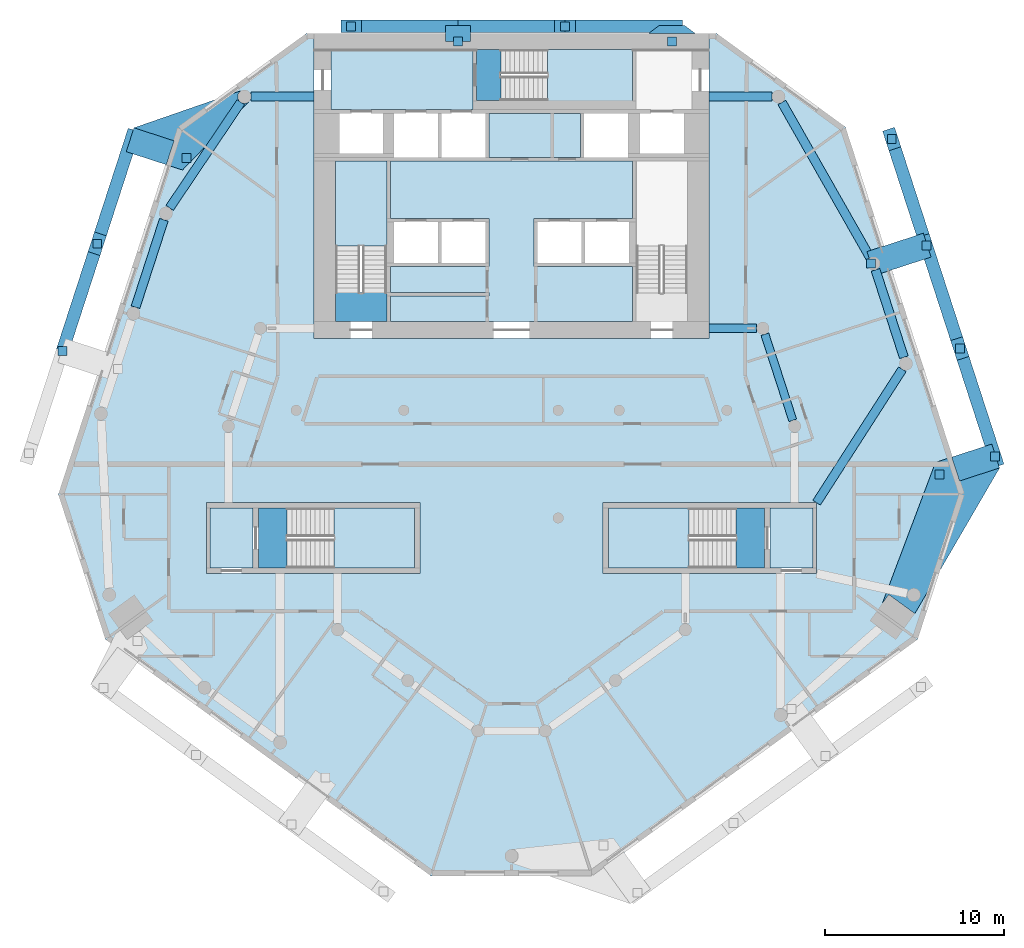
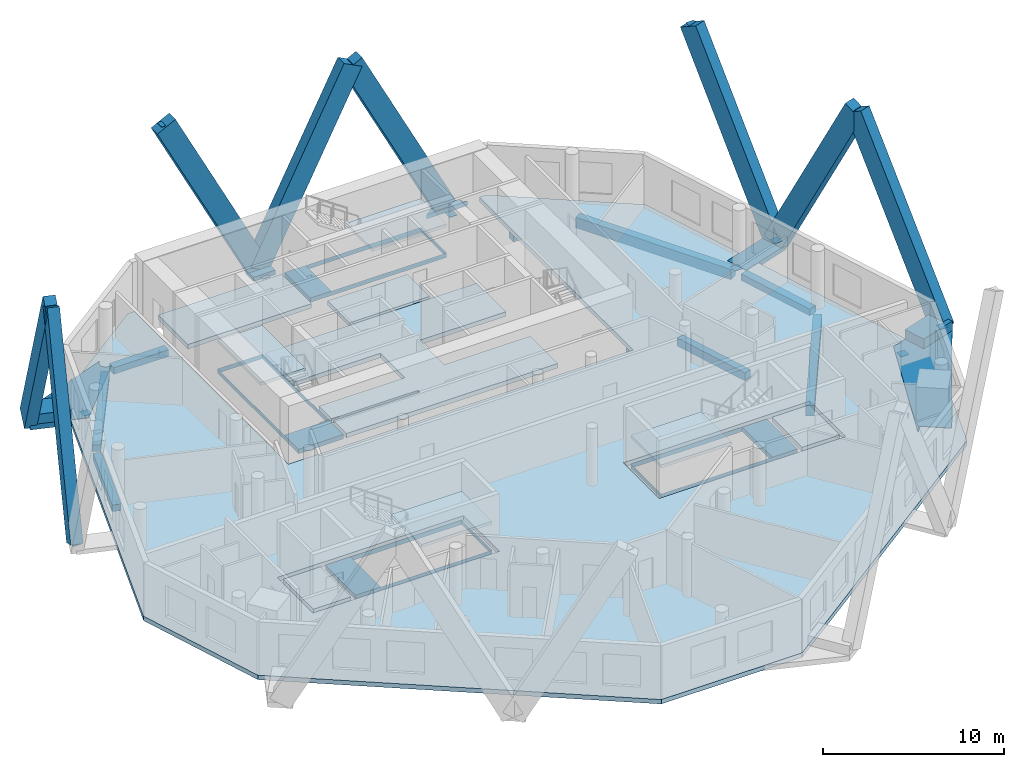
# One storey, part 2 of 10: 15 members, 14 slabs, 13 discrete accessories, 9 beams, 4 elements without a shape of their own.
"""IFC4 building model written with IfcOpenShell, lengths in metres."""

from ifc_helpers import new_model, si_unit, direction, frame, origin, origin_2d, place, context, subcontext, project, spatial, polyline, rectangle, outline, extrude, material, layer, layer_set, material_profile, profile_set, type_object, element, aggregate, save


model = new_model("IFC4")

# Units and contexts
model_context = context("Model", 3, precision=1e-05, world=origin(), true_north=direction((0.0, 1.0)))
body_context = subcontext(model_context, "Body", "Model", "MODEL_VIEW")
ifc_project = project(units=[si_unit("LENGTHUNIT", "METRE"), si_unit("AREAUNIT", "SQUARE_METRE"), si_unit("VOLUMEUNIT", "CUBIC_METRE"), si_unit("PLANEANGLEUNIT", "RADIAN"), si_unit("MASSUNIT", "GRAM", prefix="KILO")], contexts=[model_context])

# Site, building, storey
site_placement = place(None, origin())
site = spatial("IfcSite", under=ifc_project, at=site_placement, CompositionType="ELEMENT")
building_placement = place(site_placement, origin())
building = spatial("IfcBuilding", under=site, at=building_placement, Name="White Candle Pilgrim Tower", CompositionType="ELEMENT")
storey_placement = place(building_placement, frame((0.0, 0.0, 172.0)))
storey = spatial("IfcBuildingStorey", under=building, at=storey_placement, Name="L39", CompositionType="ELEMENT", Elevation=172.0)

# Member
ifc_material_1 = material(Name="Concrete C70/85, white", Category="concrete")
ifc_material_profile_1 = material_profile(ifc_material_1, rectangle(XDim=0.699951171875, YDim=1.300048828125, at=origin_2d()), Name="RC-DG 700x1300")
ifc_profile_set_1 = profile_set([ifc_material_profile_1], Name="Concrete C70/85, white")
member_type_1 = type_object("IfcMemberType", Name="Exoskeleton diagonal RC-DG 700x1300 C70/85", PredefinedType="BRACE", material=ifc_profile_set_1)
member_1_placement = place(storey_placement, frame((78.93701171875, 88.39990234375, 0.0), z_axis=(-0.453783992732, 0.0, 0.891111714624), x_axis=(0.0, -1.0, 0.0)))
member_1 = element("IfcMember", 1, at=member_1_placement, inside=storey, type_object=member_type_1, Name="Exoskeleton diagonal EX127", PredefinedType="BRACE", context=body_context, shape_type="SweptSolid", body=[
    extrude(rectangle(XDim=0.699951171875, YDim=1.300048828125, at=origin_2d()), origin(), (0.0, 0.0, 1.0), 13.129638671875),
])

member_2_placement = place(storey_placement, frame((67.02099609375, 88.39990234375, 0.0), z_axis=(0.453783992732, 0.0, 0.891111714624), x_axis=(0.0, 1.0, 0.0)))
element("IfcMember", 2, at=member_2_placement, inside=storey, type_object=member_type_1, Name="Exoskeleton diagonal EX128", PredefinedType="BRACE", context=body_context, shape_type="SweptSolid", body=[
    extrude(rectangle(XDim=0.699951171875, YDim=1.300048828125, at=origin_2d()), origin(), (0.0, 0.0, 1.0), 13.129638671875),
])

member_3_placement = place(storey_placement, frame((67.02099609375, 88.39990234375, 0.0), z_axis=(-0.453783992732, 0.0, 0.891111714624), x_axis=(0.0, -1.0, 0.0)))
member_3 = element("IfcMember", 3, at=member_3_placement, inside=storey, type_object=member_type_1, Name="Exoskeleton diagonal EX129", PredefinedType="BRACE", context=body_context, shape_type="SweptSolid", body=[
    extrude(rectangle(XDim=0.699951171875, YDim=1.300048828125, at=origin_2d()), origin(), (0.0, 0.0, 1.0), 13.129638671875),
])

member_4_placement = place(storey_placement, frame((96.934814453125, 64.436279296875, 0.0), z_axis=(-0.146802579308, 0.451810414815, 0.879952471315), x_axis=(-0.951056221468, -0.309017901757, 0.0)))
member_4 = element("IfcMember", 4, at=member_4_placement, inside=storey, type_object=member_type_1, Name="Exoskeleton diagonal EX139", PredefinedType="BRACE", context=body_context, shape_type="SweptSolid", body=[
    extrude(rectangle(XDim=0.699951171875, YDim=1.300048828125, at=origin_2d()), origin(), (0.0, 0.0, 1.0), 13.296142578125),
])

member_5_placement = place(storey_placement, frame((93.116943359375, 76.186279296875, 0.0), z_axis=(0.141723941793, -0.436167808302, 0.888634889774), x_axis=(0.951053677388, 0.309025731497, 0.0)))
member_5 = element("IfcMember", 5, at=member_5_placement, inside=storey, type_object=member_type_1, Name="Exoskeleton diagonal EX140", PredefinedType="BRACE", context=body_context, shape_type="SweptSolid", body=[
    extrude(rectangle(XDim=0.699951171875, YDim=1.300048828125, at=origin_2d()), origin(), (0.0, 0.0, 1.0), 13.166259765625),
])

member_6_placement = place(storey_placement, frame((93.116943359375, 76.186279296875, 0.0), z_axis=(-0.145375050618, 0.447412663702, 0.882433001999), x_axis=(-0.95105535191, -0.309020577962, 0.0)))
member_6 = element("IfcMember", 6, at=member_6_placement, inside=storey, type_object=member_type_1, Name="Exoskeleton diagonal EX141", PredefinedType="BRACE", context=body_context, shape_type="SweptSolid", body=[
    extrude(rectangle(XDim=0.699951171875, YDim=1.300048828125, at=origin_2d()), origin(), (0.0, 0.0, 1.0), 13.2587890625),
])

member_7_placement = place(storey_placement, frame((48.7919921875, 82.06103515625, 0.0), z_axis=(-0.14245559115, -0.438403239371, 0.887417040776), x_axis=(0.951050303892, -0.309036113531, 0.0)))
member_7 = element("IfcMember", 7, at=member_7_placement, inside=storey, type_object=member_type_1, Name="Exoskeleton diagonal EX175", PredefinedType="BRACE", context=body_context, shape_type="SweptSolid", body=[
    extrude(rectangle(XDim=0.699951171875, YDim=1.300048828125, at=origin_2d()), origin(), (0.0, 0.0, 1.0), 13.184326171875),
])

member_8_placement = place(storey_placement, frame((44.97412109375, 70.311279296875, 0.0), z_axis=(0.146090322328, 0.449616181444, 0.88119402353), x_axis=(-0.951055789428, 0.309019231433, 0.0)))
member_8 = element("IfcMember", 8, at=member_8_placement, inside=storey, type_object=member_type_1, Name="Exoskeleton diagonal EX176", PredefinedType="BRACE", context=body_context, shape_type="SweptSolid", body=[
    extrude(rectangle(XDim=0.699951171875, YDim=1.300048828125, at=origin_2d()), origin(), (0.0, 0.0, 1.0), 13.27734375),
])

ifc_layer_1 = layer(ifc_material_1, 0.300048828125)
ifc_layer_set_1 = layer_set([ifc_layer_1], Name="Node tie strut 3300x1400x300 C70/85")
member_type_2 = type_object("IfcMemberType", Name="Node tie strut 3300x1400x300 C70/85", PredefinedType="STRUT", material=ifc_layer_set_1)
member_9_placement = place(storey_placement, frame((0.0, 0.0, -0.35009765625)))
member_9 = element("IfcMember", 9, at=member_9_placement, inside=storey, type_object=member_type_2, Name="Node tie strut NC121", PredefinedType="STRUT", context=body_context, shape_type="SweptSolid", body=[
    extrude(outline(polyline([(92.47705078125, 55.669189453125), (97.198486328125, 63.7861328125), (96.765869140625, 65.11767578125), (93.62744140625, 64.097900390625), (90.66552734375, 56.238037109375), (91.02099609375, 56.72705078125), (92.47705078125, 55.669189453125)])), origin(), (0.0, 0.0, 1.0), 0.35009765625),
])

member_10_placement = place(storey_placement, origin())
element("IfcMember", 10, at=member_10_placement, inside=storey, type_object=member_type_2, Name="Node tie strut NC121", PredefinedType="STRUT", context=body_context, shape_type="SweptSolid", body=[
    extrude(outline(polyline([(94.96337890625, 63.059814453125), (97.198486328125, 63.7861328125), (96.765869140625, 65.11767578125), (94.531005859375, 64.391357421875), (94.96337890625, 63.059814453125)])), origin(), (0.0, 0.0, 1.0), 0.64990234375),
])

member_11_placement = place(storey_placement, frame((91.59521484375, 75.69189453125, -0.2998046875), z_axis=(0.0, 0.0, 1.0), x_axis=(-0.309016994375, 0.951056516295, 0.0)))
member_11 = element("IfcMember", 11, at=member_11_placement, inside=storey, type_object=member_type_2, Name="Node tie strut NC122", PredefinedType="STRUT", context=body_context, shape_type="SweptSolid", body=[
    extrude(rectangle(XDim=1.39990234375, YDim=3.300048828125, at=origin_2d()), origin(), (0.0, 0.0, 1.0), 0.300048828125),
])

member_12_placement = place(storey_placement, frame((0.0, 0.0, -0.35009765625)))
member_12 = element("IfcMember", 12, at=member_12_placement, inside=storey, type_object=member_type_2, Name="Node tie strut NC129", PredefinedType="STRUT", context=body_context, shape_type="SweptSolid", body=[
    extrude(outline(polyline([(51.66650390625, 80.39111328125), (55.38525390625, 84.21484375), (55.3671875, 84.197998046875), (55.348388671875, 84.1826171875), (55.328369140625, 84.168212890625), (55.3076171875, 84.1552734375), (55.285888671875, 84.143798828125), (55.263427734375, 84.133544921875), (55.240478515625, 84.125), (55.217041015625, 84.117919921875), (55.193115234375, 84.1123046875), (55.1689453125, 84.108154296875), (55.14453125, 84.105712890625), (55.1201171875, 84.10498046875), (55.095458984375, 84.105712890625), (55.071044921875, 84.108154296875), (55.046875, 84.1123046875), (55.02294921875, 84.117919921875), (54.99951171875, 84.125), (54.9765625, 84.133544921875), (54.9541015625, 84.143798828125), (54.9326171875, 84.1552734375), (54.91162109375, 84.168212890625), (54.8916015625, 84.1826171875), (54.872802734375, 84.197998046875), (54.854736328125, 84.21484375), (54.838134765625, 84.232666015625), (54.822509765625, 84.251708984375), (54.80810546875, 84.271728515625), (54.795166015625, 84.29248046875), (54.78369140625, 84.314208984375), (54.7734375, 84.33642578125), (54.764892578125, 84.359619140625), (54.7578125, 84.3828125), (54.752197265625, 84.40673828125), (54.748291015625, 84.43115234375), (54.745849609375, 84.45556640625), (54.7451171875, 84.47998046875), (54.745849609375, 84.50439453125), (54.748291015625, 84.52880859375), (54.752197265625, 84.55322265625), (54.7578125, 84.5771484375), (54.764892578125, 84.6005859375), (54.7734375, 84.62353515625), (54.78369140625, 84.64599609375), (54.795166015625, 84.66748046875), (54.80810546875, 84.688232421875), (54.822509765625, 84.708251953125), (54.838134765625, 84.727294921875), (54.854736328125, 84.7451171875), (54.872802734375, 84.761962890625), (54.8916015625, 84.777587890625), (54.91162109375, 84.791748046875), (54.9326171875, 84.8046875), (54.9541015625, 84.81640625), (54.9765625, 84.826416015625), (54.99951171875, 84.835205078125), (48.960693359375, 82.7421875), (48.528076171875, 81.410888671875), (51.66650390625, 80.39111328125)])), origin(), (0.0, 0.0, 1.0), 0.35009765625),
])

member_13_placement = place(storey_placement, origin())
element("IfcMember", 13, at=member_13_placement, inside=storey, type_object=member_type_2, Name="Node tie strut NC129", PredefinedType="STRUT", context=body_context, shape_type="SweptSolid", body=[
    extrude(outline(polyline([(50.76318359375, 80.6845703125), (51.19580078125, 82.01611328125), (48.960693359375, 82.7421875), (48.528076171875, 81.410888671875), (50.76318359375, 80.6845703125)])), origin(), (0.0, 0.0, 1.0), 0.64990234375),
])

ifc_layer_2 = layer(ifc_material_1, 0.300048828125)
ifc_layer_set_2 = layer_set([ifc_layer_2], Name="Node tie strut 900x1400x300 C70/85")
member_type_3 = type_object("IfcMemberType", Name="Node tie strut 900x1400x300 C70/85", PredefinedType="STRUT", material=ifc_layer_set_2)
member_14_placement = place(storey_placement, frame((0.0, 0.0, -0.300048828125)))
member_14 = element("IfcMember", 14, at=member_14_placement, inside=storey, type_object=member_type_3, Name="Node tie strut NC123", PredefinedType="STRUT", context=body_context, shape_type="SweptSolid", body=[
    extrude(outline(polyline([(77.636962890625, 88.0), (80.237060546875, 88.0), (79.636962890625, 88.449951171875), (78.237060546875, 88.449951171875), (77.636962890625, 88.0)])), origin(), (0.0, 0.0, 1.0), 0.300048828125),
])

member_15_placement = place(storey_placement, frame((67.02099609375, 88.0, -0.2998046875), z_axis=(0.0, 0.0, 1.0), x_axis=(-1.0, 0.0, 0.0)))
member_15 = element("IfcMember", 15, at=member_15_placement, inside=storey, type_object=member_type_3, Name="Node tie strut NC124", PredefinedType="STRUT", context=body_context, shape_type="SweptSolid", body=[
    extrude(rectangle(XDim=1.39990234375, YDim=0.89990234375, at=origin_2d()), origin(), (0.0, 0.0, 1.0), 0.300048828125),
])

# Beams
ifc_material_2 = material(Name="Concrete C50/60", Category="concrete")
ifc_material_profile_2 = material_profile(ifc_material_2, rectangle(XDim=0.449951171875, YDim=0.550048828125, at=origin_2d()), Name="RC-BM 450x550")
ifc_profile_set_2 = profile_set([ifc_material_profile_2], Name="Concrete C50/60")
beam_type_1 = type_object("IfcBeamType", Name="Ring beam RC-BM 450x550 C50/60", PredefinedType="BEAM", material=ifc_profile_set_2)
beam_1_placement = place(storey_placement, frame((85.672119140625, 66.44287109375, -0.574951171875), z_axis=(-0.308369651752, 0.95126660715, 0.0), x_axis=(-0.95126660715, -0.308369651752, 0.0)))
element("IfcBeam", 16, at=beam_1_placement, inside=storey, type_object=beam_type_1, Name="L39 ring beam R08", PredefinedType="BEAM", context=body_context, shape_type="SweptSolid", body=[
    extrude(rectangle(XDim=0.449951171875, YDim=0.550048828125, at=origin_2d()), origin(), (0.0, 0.0, 1.0), 5.0400390625),
])
beam_2_placement = place(storey_placement, frame((83.659912109375, 71.570068359375, -0.574951171875), z_axis=(-1.0, 0.0, 0.0), x_axis=(0.0, -1.0, 0.0)))
element("IfcBeam", 17, at=beam_2_placement, inside=storey, type_object=beam_type_1, Name="L39 ring beam R09", PredefinedType="BEAM", context=body_context, shape_type="SweptSolid", body=[
    extrude(rectangle(XDim=0.449951171875, YDim=0.550048828125, at=origin_2d()), origin(), (0.0, 0.0, 1.0), 2.659912109375),
])
ifc_material_profile_3 = material_profile(ifc_material_2, rectangle(XDim=0.5, YDim=0.449951171875, at=origin_2d()), Name="RC-BM 500x450")
ifc_profile_set_3 = profile_set([ifc_material_profile_3], Name="Concrete C50/60")
beam_type_2 = type_object("IfcBeamType", Name="Spandrel beam RC-BM 500x450 C50/60", PredefinedType="BEAM", material=ifc_profile_set_3)
beam_3_placement = place(storey_placement, frame((91.8642578125, 69.95654296875, -0.52490234375), z_axis=(-0.308530369215, 0.951214492779, 0.0), x_axis=(-0.951214492779, -0.308530369215, 0.0)))
element("IfcBeam", 18, at=beam_3_placement, inside=storey, type_object=beam_type_2, Name="L39 spandrel beam T08", PredefinedType="BEAM", context=body_context, shape_type="SweptSolid", body=[
    extrude(rectangle(XDim=0.5, YDim=0.449951171875, at=origin_2d()), origin(), (0.0, 0.0, 1.0), 5.116455078125),
])
for number, where, z_axis, x_axis, name in (
    (19, (84.5048828125, 84.47998046875, -0.52490234375), (-1.0, 0.0, 0.0), (0.0, -1.0, 0.0), "L39 spandrel beam T10"),
    (20, (55.4951171875, 84.47998046875, -0.52490234375), (1.0, 0.0, 0.0), (0.0, 1.0, 0.0), "L39 spandrel beam T11"),
):
    element("IfcBeam", number, at=place(storey_placement, frame(where, z_axis=z_axis, x_axis=x_axis)), inside=storey, type_object=beam_type_2, Name=name, PredefinedType="BEAM", context=body_context, shape_type="SweptSolid", body=[
        extrude(rectangle(XDim=0.5, YDim=0.449951171875, at=origin_2d()), origin(), (0.0, 0.0, 1.0), 3.5048828125),
    ])
beam_4_placement = place(storey_placement, frame((54.91064453125, 84.1689453125, -0.52490234375), z_axis=(-0.55822018442, -0.82969285022, 0.0), x_axis=(0.82969285022, -0.55822018442, 0.0)))
element("IfcBeam", 21, at=beam_4_placement, inside=storey, type_object=beam_type_2, Name="L39 spandrel beam T12", PredefinedType="BEAM", context=body_context, shape_type="SweptSolid", body=[
    extrude(rectangle(XDim=0.5, YDim=0.449951171875, at=origin_2d()), origin(), (0.0, 0.0, 1.0), 7.096435546875),
])
beam_5_placement = place(storey_placement, frame((50.624267578125, 77.61328125, -0.52490234375), z_axis=(-0.308544373382, -0.951209950355, 0.0), x_axis=(0.951209950355, -0.308544373382, 0.0)))
element("IfcBeam", 22, at=beam_5_placement, inside=storey, type_object=beam_type_2, Name="L39 spandrel beam T13", PredefinedType="BEAM", context=body_context, shape_type="SweptSolid", body=[
    extrude(rectangle(XDim=0.5, YDim=0.449951171875, at=origin_2d()), origin(), (0.0, 0.0, 1.0), 5.1162109375),
])
ifc_material_profile_4 = material_profile(ifc_material_2, rectangle(XDim=0.5, YDim=0.699951171875, at=origin_2d()), Name="RC-BM 500x700")
ifc_profile_set_4 = profile_set([ifc_material_profile_4], Name="Concrete C50/60")
beam_type_3 = type_object("IfcBeamType", Name="Spandrel beam RC-BM 500x700 C50/60", PredefinedType="BEAM", material=ifc_profile_set_4)
beam_6_placement = place(storey_placement, frame((91.77734375, 69.28466796875, -0.64990234375), z_axis=(-0.540595612128, -0.841282582815, 0.0), x_axis=(0.841282582815, -0.540595612128, 0.0)))
element("IfcBeam", 23, at=beam_6_placement, inside=storey, type_object=beam_type_3, Name="L39 spandrel beam T07", PredefinedType="BEAM", context=body_context, shape_type="SweptSolid", body=[
    extrude(rectangle(XDim=0.5, YDim=0.699951171875, at=origin_2d()), origin(), (0.0, 0.0, 1.0), 8.837158203125),
])
beam_7_placement = place(storey_placement, frame((89.984619140625, 75.505859375, -0.64990234375), z_axis=(-0.494422929515, 0.869221471646, 0.0), x_axis=(-0.869221471646, -0.494422929515, 0.0)))
element("IfcBeam", 24, at=beam_7_placement, inside=storey, type_object=beam_type_3, Name="L39 spandrel beam T09", PredefinedType="BEAM", context=body_context, shape_type="SweptSolid", body=[
    extrude(rectangle(XDim=0.5, YDim=0.699951171875, at=origin_2d()), origin(), (0.0, 0.0, 1.0), 9.949462890625),
])

# Slabs
ifc_material_3 = material(Name="Concrete C40/50", Category="concrete")
ifc_layer_3 = layer(ifc_material_3, 0.300048828125)
ifc_layer_set_3 = layer_set([ifc_layer_3], Name="Core floor slab 300 mm Concrete C40/50")
slab_type_1 = type_object("IfcSlabType", Name="Core floor slab 300 mm Concrete C40/50", PredefinedType="FLOOR", material=ifc_layer_set_3)
slab_1_placement = place(storey_placement, frame((0.0, 0.0, -0.300048828125)))
element("IfcSlab", 25, at=slab_1_placement, inside=storey, type_object=slab_type_1, Name="CF-L39-01", PredefinedType="FLOOR", context=body_context, shape_type="SweptSolid", body=[
    extrude(outline(polyline([(55.60009765625, 58.199951171875), (53.199951171875, 58.199951171875), (53.199951171875, 61.550048828125), (55.60009765625, 61.550048828125), (55.60009765625, 58.199951171875)])), origin(), (0.0, 0.0, 1.0), 0.300048828125),
])
slab_2_placement = place(storey_placement, frame((0.0, 0.0, -0.300048828125)))
element("IfcSlab", 26, at=slab_2_placement, inside=storey, type_object=slab_type_1, Name="CF-L39-02", PredefinedType="FLOOR", context=body_context, shape_type="SweptSolid", body=[
    extrude(outline(polyline([(55.89990234375, 58.199951171875), (55.89990234375, 61.550048828125), (64.60009765625, 61.550048828125), (64.60009765625, 58.199951171875), (55.89990234375, 58.199951171875)]), holes=[polyline([(57.501953125, 61.548095703125), (57.501953125, 58.201904296875), (64.597900390625, 58.201904296875), (64.597900390625, 61.548095703125), (57.501953125, 61.548095703125)])]), origin(), (0.0, 0.0, 1.0), 0.300048828125),
])
slab_3_placement = place(storey_placement, frame((0.0, 0.0, -0.300048828125)))
element("IfcSlab", 27, at=slab_3_placement, inside=storey, type_object=slab_type_1, Name="CF-L39-03", PredefinedType="FLOOR", context=body_context, shape_type="SweptSolid", body=[
    extrude(outline(polyline([(75.39990234375, 58.199951171875), (75.39990234375, 61.550048828125), (84.10009765625, 61.550048828125), (84.10009765625, 58.199951171875), (75.39990234375, 58.199951171875)]), holes=[polyline([(82.498046875, 58.201904296875), (82.498046875, 61.548095703125), (75.402099609375, 61.548095703125), (75.402099609375, 58.201904296875), (82.498046875, 58.201904296875)])]), origin(), (0.0, 0.0, 1.0), 0.300048828125),
])
slab_4_placement = place(storey_placement, frame((0.0, 0.0, -0.300048828125)))
element("IfcSlab", 28, at=slab_4_placement, inside=storey, type_object=slab_type_1, Name="CF-L39-04", PredefinedType="FLOOR", context=body_context, shape_type="SweptSolid", body=[
    extrude(outline(polyline([(86.800048828125, 58.199951171875), (84.39990234375, 58.199951171875), (84.39990234375, 61.550048828125), (86.800048828125, 61.550048828125), (86.800048828125, 58.199951171875)])), origin(), (0.0, 0.0, 1.0), 0.300048828125),
])
slab_5_placement = place(storey_placement, frame((0.0, 0.0, -0.300048828125)))
element("IfcSlab", 29, at=slab_5_placement, inside=storey, type_object=slab_type_1, Name="CF-L39-05", PredefinedType="FLOOR", context=body_context, shape_type="SweptSolid", body=[
    extrude(outline(polyline([(76.75, 87.10009765625), (76.75, 87.050048828125), (76.75, 84.25), (68.050048828125, 84.25), (68.050048828125, 87.050048828125), (68.050048828125, 87.10009765625), (76.75, 87.10009765625)]), holes=[polyline([(69.402099609375, 87.097900390625), (69.402099609375, 84.251953125), (76.748046875, 84.251953125), (76.748046875, 87.097900390625), (69.402099609375, 87.097900390625)])]), origin(), (0.0, 0.0, 1.0), 0.300048828125),
])
slab_6_placement = place(storey_placement, frame((0.0, 0.0, -0.300048828125)))
element("IfcSlab", 30, at=slab_6_placement, inside=storey, type_object=slab_type_1, Name="CF-L39-08", PredefinedType="FLOOR", context=body_context, shape_type="SweptSolid", body=[
    extrude(outline(polyline([(63.25, 71.949951171875), (63.25, 73.375), (68.75, 73.375), (68.75, 73.574951171875), (63.25, 73.574951171875), (63.25, 75.0), (68.75, 75.0), (68.75, 75.199951171875), (68.75, 77.5), (68.75, 77.699951171875), (63.25, 77.699951171875), (63.25, 80.89990234375), (76.75, 80.89990234375), (76.75, 77.699951171875), (71.25, 77.699951171875), (71.25, 77.5), (71.25, 75.199951171875), (71.25, 75.0), (76.75, 75.0), (76.75, 71.949951171875), (63.25, 71.949951171875)])), origin(), (0.0, 0.0, 1.0), 0.300048828125),
])
slab_7_placement = place(storey_placement, frame((0.0, 0.0, -0.300048828125)))
element("IfcSlab", 31, at=slab_7_placement, inside=storey, type_object=slab_type_1, Name="CF-L39-09", PredefinedType="FLOOR", context=body_context, shape_type="SweptSolid", body=[
    extrude(outline(polyline([(60.199951171875, 71.949951171875), (60.199951171875, 80.89990234375), (63.050048828125, 80.89990234375), (63.050048828125, 77.699951171875), (63.050048828125, 77.5), (63.050048828125, 75.199951171875), (63.050048828125, 75.0), (63.050048828125, 73.574951171875), (63.050048828125, 73.375), (63.050048828125, 71.949951171875), (60.199951171875, 71.949951171875)]), holes=[polyline([(60.201904296875, 73.552001953125), (63.048095703125, 73.552001953125), (63.048095703125, 80.89794921875), (60.201904296875, 80.89794921875), (60.201904296875, 73.552001953125)])]), origin(), (0.0, 0.0, 1.0), 0.300048828125),
])
slab_8_placement = place(storey_placement, frame((0.0, 0.0, -0.300048828125)))
element("IfcSlab", 32, at=slab_8_placement, inside=storey, type_object=slab_type_1, Name="CF-L39-10", PredefinedType="FLOOR", context=body_context, shape_type="SweptSolid", body=[
    extrude(outline(polyline([(59.949951171875, 87.050048828125), (67.85009765625, 87.050048828125), (67.85009765625, 84.25), (67.85009765625, 83.75), (59.949951171875, 83.75), (59.949951171875, 87.050048828125)])), origin(), (0.0, 0.0, 1.0), 0.300048828125),
])
slab_9_placement = place(storey_placement, frame((0.0, 0.0, -0.300048828125)))
element("IfcSlab", 33, at=slab_9_placement, inside=storey, type_object=slab_type_1, Name="CF-L39-11", PredefinedType="FLOOR", context=body_context, shape_type="SweptSolid", body=[
    extrude(outline(polyline([(73.85009765625, 83.550048828125), (73.85009765625, 81.10009765625), (68.75, 81.10009765625), (68.75, 83.550048828125), (73.85009765625, 83.550048828125)])), origin(), (0.0, 0.0, 1.0), 0.300048828125),
])
ifc_layer_4 = layer(ifc_material_3, 0.300048828125)
ifc_layer_set_4 = layer_set([ifc_layer_4], Name="Floor slab 300 REI 120")
slab_type_2 = type_object("IfcSlabType", Name="Floor slab 300 REI 120", PredefinedType="FLOOR", material=ifc_layer_set_4)
slab_10_placement = place(storey_placement, frame((0.0, 0.0, -0.300048828125)))
element("IfcSlab", 34, at=slab_10_placement, inside=storey, type_object=slab_type_2, Name="L39 floor slab", PredefinedType="FLOOR", context=body_context, shape_type="SweptSolid", body=[
    extrude(outline(polyline([(65.504150390625, 41.052978515625), (74.495849609375, 41.052978515625), (92.63134765625, 54.229248046875), (95.25830078125, 62.314453125), (88.604736328125, 82.79248046875), (81.43701171875, 88.0), (81.0, 88.0), (81.0, 71.0), (59.0, 71.0), (59.0, 88.0), (58.56298828125, 88.0), (51.395263671875, 82.79248046875), (44.74169921875, 62.314453125), (47.36865234375, 54.229248046875), (65.504150390625, 41.052978515625)]), holes=[polyline([(53.0, 57.89990234375), (53.0, 61.85009765625), (64.89990234375, 61.85009765625), (64.89990234375, 57.89990234375), (53.0, 57.89990234375)]), polyline([(75.10009765625, 57.89990234375), (75.10009765625, 61.85009765625), (87.0, 61.85009765625), (87.0, 57.89990234375), (75.10009765625, 57.89990234375)])]), origin(), (0.0, 0.0, 1.0), 0.300048828125),
])

# Stair, slab
stair_type_1 = type_object("IfcStairType", Name="Exit stair 1 flight width 1350 mm", PredefinedType="HALF_TURN_STAIR", material=ifc_material_3)
stair_1_placement = place(storey_placement, origin())
stair_1 = element("IfcStair", 35, at=stair_1_placement, inside=storey, type_object=stair_type_1, Name="L39 stair 1", PredefinedType="NOTDEFINED")
ifc_layer_5 = layer(ifc_material_3, 0.199951171875)
ifc_layer_set_5 = layer_set([ifc_layer_5], Name="Stair landing Concrete C40/50")
slab_type_3 = type_object("IfcSlabType", Name="Stair landing Concrete C40/50", PredefinedType="LANDING", material=ifc_layer_set_5)
slab_11_placement = place(storey_placement, frame((0.0, 0.0, 1.75)))
slab_11 = element("IfcSlab", 36, at=slab_11_placement, type_object=slab_type_3, Name="ST1 landing 1", PredefinedType="LANDING", context=body_context, shape_type="SweptSolid", body=[
    extrude(outline(polyline([(63.052001953125, 76.14794921875), (60.197998046875, 76.14794921875), (60.197998046875, 80.902099609375), (63.052001953125, 80.902099609375), (63.052001953125, 76.14794921875)])), origin(), (0.0, 0.0, 1.0), 0.199951171875),
])
aggregate(stair_1, [slab_11])

stair_type_2 = type_object("IfcStairType", Name="Exit stair 3 flight width 1350 mm", PredefinedType="HALF_TURN_STAIR", material=ifc_material_3)
stair_2_placement = place(storey_placement, origin())
stair_2 = element("IfcStair", 37, at=stair_2_placement, inside=storey, type_object=stair_type_2, Name="L39 stair 3", PredefinedType="NOTDEFINED")
slab_12_placement = place(storey_placement, frame((0.0, 0.0, 1.75)))
slab_12 = element("IfcSlab", 38, at=slab_12_placement, type_object=slab_type_3, Name="ST3 landing 1", PredefinedType="LANDING", context=body_context, shape_type="SweptSolid", body=[
    extrude(outline(polyline([(71.998046875, 84.248046875), (71.998046875, 87.10205078125), (76.751953125, 87.10205078125), (76.751953125, 84.248046875), (71.998046875, 84.248046875)])), origin(), (0.0, 0.0, 1.0), 0.199951171875),
])
aggregate(stair_2, [slab_12])

stair_type_3 = type_object("IfcStairType", Name="Exit stair 4 flight width 1600 mm", PredefinedType="HALF_TURN_STAIR", material=ifc_material_3)
stair_3_placement = place(storey_placement, origin())
stair_3 = element("IfcStair", 39, at=stair_3_placement, inside=storey, type_object=stair_type_3, Name="L39 stair 4", PredefinedType="NOTDEFINED")
slab_13_placement = place(storey_placement, frame((0.0, 0.0, 1.75)))
slab_13 = element("IfcSlab", 40, at=slab_13_placement, type_object=slab_type_3, Name="ST4 landing 1", PredefinedType="LANDING", context=body_context, shape_type="SweptSolid", body=[
    extrude(outline(polyline([(79.902099609375, 61.552001953125), (79.902099609375, 58.197998046875), (75.39794921875, 58.197998046875), (75.39794921875, 61.552001953125), (79.902099609375, 61.552001953125)])), origin(), (0.0, 0.0, 1.0), 0.199951171875),
])
aggregate(stair_3, [slab_13])

stair_type_4 = type_object("IfcStairType", Name="Exit stair 5 flight width 1600 mm", PredefinedType="HALF_TURN_STAIR", material=ifc_material_3)
stair_4_placement = place(storey_placement, origin())
stair_4 = element("IfcStair", 41, at=stair_4_placement, inside=storey, type_object=stair_type_4, Name="L39 stair 5", PredefinedType="NOTDEFINED")
slab_14_placement = place(storey_placement, frame((0.0, 0.0, 1.75)))
slab_14 = element("IfcSlab", 42, at=slab_14_placement, type_object=slab_type_3, Name="ST5 landing 1", PredefinedType="LANDING", context=body_context, shape_type="SweptSolid", body=[
    extrude(outline(polyline([(60.097900390625, 58.197998046875), (60.097900390625, 61.552001953125), (64.60205078125, 61.552001953125), (64.60205078125, 58.197998046875), (60.097900390625, 58.197998046875)])), origin(), (0.0, 0.0, 1.0), 0.199951171875),
])
aggregate(stair_4, [slab_14])

# Discrete accessory
ifc_material_4 = material(Name="Steel S355", Category="steel")
ifc_layer_6 = layer(ifc_material_4, 0.02490234375)
ifc_layer_set_6 = layer_set([ifc_layer_6], Name="Gusset plate 500x500x25 S355")
discrete_accessory_type = type_object("IfcDiscreteAccessoryType", Name="Gusset plate 500x500x25 S355", PredefinedType="BRACKET", material=ifc_layer_set_6)
placement = place(building_placement, frame((0.0, 0.0, 183.699951171875)))
discrete_accessory_1_placement = place(placement, frame((72.97900390625, 88.39990234375, -0.012451171875), z_axis=(0.0, 0.0, 1.0), x_axis=(1.0, 0.0, 0.0)))
discrete_accessory_1 = element("IfcDiscreteAccessory", 43, at=discrete_accessory_1_placement, type_object=discrete_accessory_type, Name="Gusset plate 0142", PredefinedType="BRACKET", context=body_context, shape_type="SweptSolid", body=[
    extrude(rectangle(XDim=0.5, YDim=0.5, at=origin_2d()), origin(), (0.0, 0.0, 1.0), 0.02490234375),
])

aggregate(member_1, [discrete_accessory_1])

discrete_accessory_2_placement = place(placement, frame((61.06298828125, 88.39990234375, -0.012451171875), z_axis=(0.0, 0.0, 1.0), x_axis=(1.0, 0.0, 0.0)))
discrete_accessory_2 = element("IfcDiscreteAccessory", 44, at=discrete_accessory_2_placement, type_object=discrete_accessory_type, Name="Gusset plate 0143", PredefinedType="BRACKET", context=body_context, shape_type="SweptSolid", body=[
    extrude(rectangle(XDim=0.5, YDim=0.5, at=origin_2d()), origin(), (0.0, 0.0, 1.0), 0.02490234375),
])

aggregate(member_3, [discrete_accessory_2])

discrete_accessory_3_placement = place(storey_placement, frame((96.934814453125, 64.436279296875, -0.012451171875), z_axis=(0.0, 0.0, 1.0), x_axis=(1.0, 0.0, 0.0)))
discrete_accessory_3 = element("IfcDiscreteAccessory", 45, at=discrete_accessory_3_placement, type_object=discrete_accessory_type, Name="Gusset plate 0153", PredefinedType="BRACKET", context=body_context, shape_type="SweptSolid", body=[
    extrude(rectangle(XDim=0.5, YDim=0.5, at=origin_2d()), origin(), (0.0, 0.0, 1.0), 0.02490234375),
])

discrete_accessory_4_placement = place(placement, frame((94.98291015625, 70.443603515625, -0.012451171875), z_axis=(0.0, 0.0, 1.0), x_axis=(1.0, 0.0, 0.0)))
discrete_accessory_4 = element("IfcDiscreteAccessory", 46, at=discrete_accessory_4_placement, type_object=discrete_accessory_type, Name="Gusset plate 0154", PredefinedType="BRACKET", context=body_context, shape_type="SweptSolid", body=[
    extrude(rectangle(XDim=0.5, YDim=0.5, at=origin_2d()), origin(), (0.0, 0.0, 1.0), 0.02490234375),
])

aggregate(member_4, [discrete_accessory_3, discrete_accessory_4])

discrete_accessory_5_placement = place(storey_placement, frame((93.116943359375, 76.186279296875, -0.012451171875), z_axis=(0.0, 0.0, 1.0), x_axis=(1.0, 0.0, 0.0)))
discrete_accessory_5 = element("IfcDiscreteAccessory", 47, at=discrete_accessory_5_placement, type_object=discrete_accessory_type, Name="Gusset plate 0155", PredefinedType="BRACKET", context=body_context, shape_type="SweptSolid", body=[
    extrude(rectangle(XDim=0.5, YDim=0.5, at=origin_2d()), origin(), (0.0, 0.0, 1.0), 0.02490234375),
])

aggregate(member_5, [discrete_accessory_5])

discrete_accessory_6_placement = place(placement, frame((91.189453125, 82.118408203125, -0.012451171875), z_axis=(0.0, 0.0, 1.0), x_axis=(1.0, 0.0, 0.0)))
discrete_accessory_6 = element("IfcDiscreteAccessory", 48, at=discrete_accessory_6_placement, type_object=discrete_accessory_type, Name="Gusset plate 0156", PredefinedType="BRACKET", context=body_context, shape_type="SweptSolid", body=[
    extrude(rectangle(XDim=0.5, YDim=0.5, at=origin_2d()), origin(), (0.0, 0.0, 1.0), 0.02490234375),
])

aggregate(member_6, [discrete_accessory_6])

discrete_accessory_7_placement = place(placement, frame((46.913818359375, 76.281005859375, -0.012451171875), z_axis=(0.0, 0.0, 1.0), x_axis=(1.0, 0.0, 0.0)))
discrete_accessory_7 = element("IfcDiscreteAccessory", 49, at=discrete_accessory_7_placement, type_object=discrete_accessory_type, Name="Gusset plate 0200", PredefinedType="BRACKET", context=body_context, shape_type="SweptSolid", body=[
    extrude(rectangle(XDim=0.5, YDim=0.5, at=origin_2d()), origin(), (0.0, 0.0, 1.0), 0.02490234375),
])

aggregate(member_7, [discrete_accessory_7])

discrete_accessory_8_placement = place(storey_placement, frame((44.97412109375, 70.311279296875, -0.012451171875), z_axis=(0.0, 0.0, 1.0), x_axis=(1.0, 0.0, 0.0)))
discrete_accessory_8 = element("IfcDiscreteAccessory", 50, at=discrete_accessory_8_placement, type_object=discrete_accessory_type, Name="Gusset plate 0201", PredefinedType="BRACKET", context=body_context, shape_type="SweptSolid", body=[
    extrude(rectangle(XDim=0.5, YDim=0.5, at=origin_2d()), origin(), (0.0, 0.0, 1.0), 0.02490234375),
])

aggregate(member_8, [discrete_accessory_8])

discrete_accessory_9_placement = place(storey_placement, frame((93.84375, 63.43212890625, -0.162353515625), z_axis=(0.0, 0.0, 1.0), x_axis=(1.0, 0.0, 0.0)))
discrete_accessory_9 = element("IfcDiscreteAccessory", 51, at=discrete_accessory_9_placement, type_object=discrete_accessory_type, Name="Gusset plate 0502", PredefinedType="BRACKET", context=body_context, shape_type="SweptSolid", body=[
    extrude(rectangle(XDim=0.5, YDim=0.5, at=origin_2d()), origin(), (0.0, 0.0, 1.0), 0.02490234375),
])

aggregate(member_9, [discrete_accessory_9])

discrete_accessory_10_placement = place(storey_placement, frame((90.02587890625, 75.181884765625, -0.162353515625), z_axis=(0.0, 0.0, 1.0), x_axis=(1.0, 0.0, 0.0)))
discrete_accessory_10 = element("IfcDiscreteAccessory", 52, at=discrete_accessory_10_placement, type_object=discrete_accessory_type, Name="Gusset plate 0503", PredefinedType="BRACKET", context=body_context, shape_type="SweptSolid", body=[
    extrude(rectangle(XDim=0.5, YDim=0.5, at=origin_2d()), origin(), (0.0, 0.0, 1.0), 0.02490234375),
])

aggregate(member_11, [discrete_accessory_10])

discrete_accessory_11_placement = place(storey_placement, frame((78.93701171875, 87.550048828125, -0.162353515625), z_axis=(0.0, 0.0, 1.0), x_axis=(1.0, 0.0, 0.0)))
discrete_accessory_11 = element("IfcDiscreteAccessory", 53, at=discrete_accessory_11_placement, type_object=discrete_accessory_type, Name="Gusset plate 0504", PredefinedType="BRACKET", context=body_context, shape_type="SweptSolid", body=[
    extrude(rectangle(XDim=0.5, YDim=0.5, at=origin_2d()), origin(), (0.0, 0.0, 1.0), 0.02490234375),
])

aggregate(member_14, [discrete_accessory_11])

discrete_accessory_12_placement = place(storey_placement, frame((67.02099609375, 87.550048828125, -0.162353515625), z_axis=(0.0, 0.0, 1.0), x_axis=(1.0, 0.0, 0.0)))
discrete_accessory_12 = element("IfcDiscreteAccessory", 54, at=discrete_accessory_12_placement, type_object=discrete_accessory_type, Name="Gusset plate 0505", PredefinedType="BRACKET", context=body_context, shape_type="SweptSolid", body=[
    extrude(rectangle(XDim=0.5, YDim=0.5, at=origin_2d()), origin(), (0.0, 0.0, 1.0), 0.02490234375),
])

aggregate(member_15, [discrete_accessory_12])

discrete_accessory_13_placement = place(storey_placement, frame((51.8828125, 81.056884765625, -0.162353515625), z_axis=(0.0, 0.0, 1.0), x_axis=(1.0, 0.0, 0.0)))
discrete_accessory_13 = element("IfcDiscreteAccessory", 55, at=discrete_accessory_13_placement, type_object=discrete_accessory_type, Name="Gusset plate 0510", PredefinedType="BRACKET", context=body_context, shape_type="SweptSolid", body=[
    extrude(rectangle(XDim=0.5, YDim=0.5, at=origin_2d()), origin(), (0.0, 0.0, 1.0), 0.02490234375),
])

aggregate(member_12, [discrete_accessory_13])

save(model, "model.ifc")
